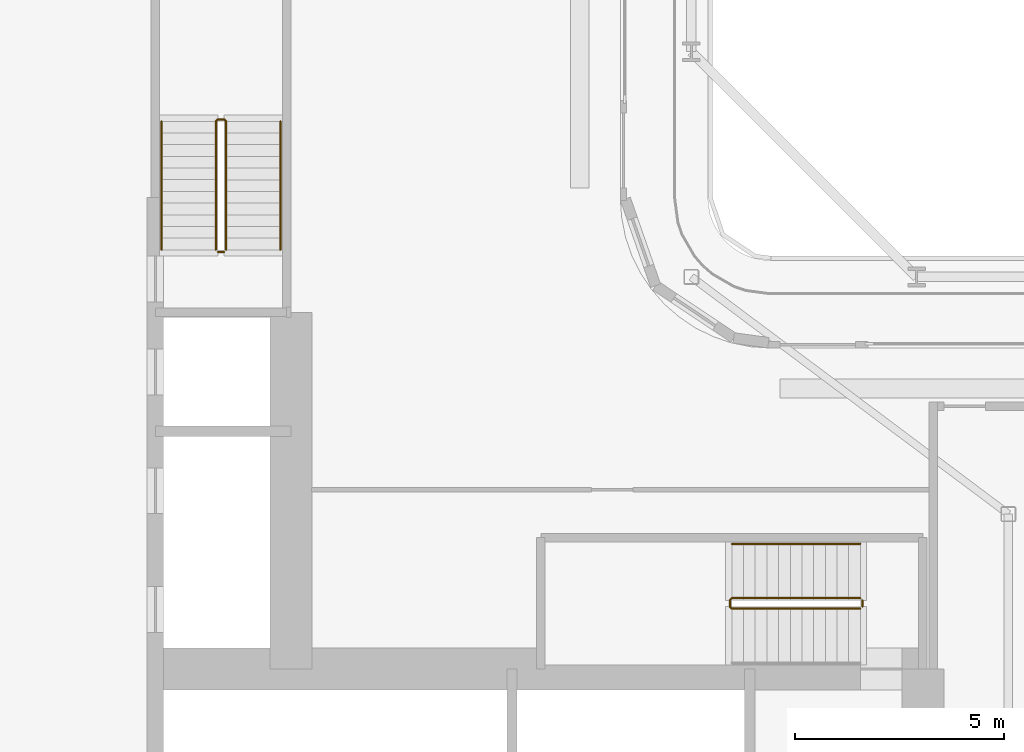
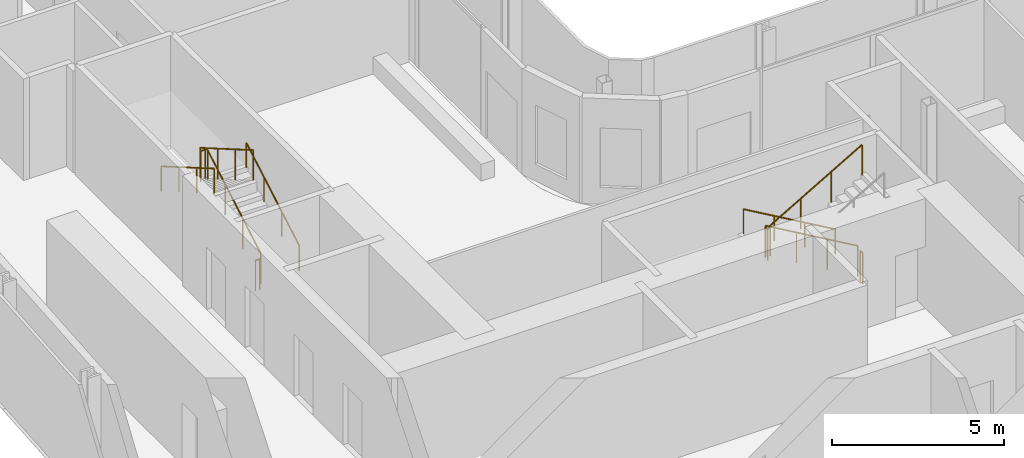
# One storey, part 24 of 29: 7 railings.
"""IFC4 building model written with IfcOpenShell, lengths in metres."""

from ifc_helpers import new_model, si_unit, direction, frame, origin, origin_2d, place, context, subcontext, project, spatial, circle, extrude, material, type_object, element, save


model = new_model("IFC4")

# Units and contexts
model_context = context("Model", 3, precision=1e-05, world=origin(), true_north=direction((0.0, 1.0)))
body_context = subcontext(model_context, "Body", "Model", "MODEL_VIEW")
ifc_project = project(units=[si_unit("LENGTHUNIT", "METRE"), si_unit("AREAUNIT", "SQUARE_METRE"), si_unit("VOLUMEUNIT", "CUBIC_METRE"), si_unit("PLANEANGLEUNIT", "RADIAN"), si_unit("MASSUNIT", "GRAM", prefix="KILO")], contexts=[model_context])

# Site, building, storey
site_placement = place(None, origin())
site = spatial("IfcSite", under=ifc_project, at=site_placement, CompositionType="ELEMENT")
building_placement = place(site_placement, origin())
building = spatial("IfcBuilding", under=site, at=building_placement, Name="Kheshtan School and Residences Tower", CompositionType="ELEMENT")
storey_placement = place(building_placement, frame((0.0, 0.0, 61.699951171875)))
storey = spatial("IfcBuildingStorey", under=building, at=storey_placement, Name="L14", CompositionType="ELEMENT", Elevation=61.699951171875)

# Railings
ifc_material_1 = material(Name="Stainless steel balustrade", Category="steel")
railing_type_1 = type_object("IfcRailingType", Name="Stair guard 1100", PredefinedType="GUARDRAIL", material=ifc_material_1)
railing_1_placement = place(storey_placement, frame((51.64990234375, 37.89990234375, 0.16259765625)))
element("IfcRailing", 1, at=railing_1_placement, inside=storey, type_object=railing_type_1, Name="L14 ST1 stair guard 1", PredefinedType="GUARDRAIL", context=body_context, shape_type="SweptSolid", body=[
    extrude(circle(Radius=0.02392578125, at=origin_2d()), frame((0.0, 0.0, 1.076171875), z_axis=(-0.864903211148, 0.0, 0.501938676878), x_axis=(0.0, -1.0, 0.0)), (0.0, 0.0, 1.0), 3.560791015625),
    extrude(circle(Radius=0.02392578125, at=origin_2d()), frame((-3.079833984375, 0.0, 2.86328125), z_axis=(-0.708833529934, -0.705375805398, 0.0), x_axis=(0.705375805398, -0.708833529934, 0.0)), (0.0, 0.0, 1.0), 0.070556640625),
    extrude(circle(Radius=0.02392578125, at=origin_2d()), frame((-3.1298828125, -0.0498046875, 2.86328125), z_axis=(0.0, -1.0, 0.0), x_axis=(1.0, 0.0, 0.0)), (0.0, 0.0, 1.0), 0.150146484375),
    extrude(circle(Radius=0.02392578125, at=origin_2d()), frame((-3.1298828125, -0.199951171875, 2.86328125), z_axis=(0.282227285176, -0.282227285176, 0.916894497205), x_axis=(0.707106781187, 0.707106781187, 0.0)), (0.0, 0.0, 1.0), 0.17724609375),
    extrude(circle(Radius=0.02392578125, at=origin_2d()), frame((-3.079833984375, -0.25, 3.02587890625), z_axis=(0.864873446163, 0.0, 0.501989962173), x_axis=(0.0, 1.0, 0.0)), (0.0, 0.0, 1.0), 3.56103515625),
    extrude(circle(Radius=0.02099609375, at=origin_2d()), origin(), (0.0, 0.0, 1.0), 1.052001953125),
    extrude(circle(Radius=0.02099609375, at=origin_2d()), frame((-1.026611328125, 0.0, 0.595703125)), (0.0, 0.0, 1.0), 1.052001953125),
    extrude(circle(Radius=0.02099609375, at=origin_2d()), frame((-2.05322265625, 0.0, 1.191650390625)), (0.0, 0.0, 1.0), 1.052001953125),
    extrude(circle(Radius=0.02099609375, at=origin_2d()), frame((-3.079833984375, 0.0, 1.787353515625)), (0.0, 0.0, 1.0), 1.052001953125),
    extrude(circle(Radius=0.02099609375, at=origin_2d()), frame((-3.1298828125, -0.0498046875, 1.787353515625)), (0.0, 0.0, 1.0), 1.052001953125),
    extrude(circle(Radius=0.02099609375, at=origin_2d()), frame((-3.1298828125, -0.199951171875, 1.787353515625)), (0.0, 0.0, 1.0), 1.052001953125),
    extrude(circle(Radius=0.02099609375, at=origin_2d()), frame((-3.079833984375, -0.25, 1.949951171875)), (0.0, 0.0, 1.0), 1.052001953125),
    extrude(circle(Radius=0.02099609375, at=origin_2d()), frame((-2.05322265625, -0.25, 2.5458984375)), (0.0, 0.0, 1.0), 1.052001953125),
    extrude(circle(Radius=0.02099609375, at=origin_2d()), frame((-1.026611328125, -0.25, 3.1416015625)), (0.0, 0.0, 1.0), 1.052001953125),
    extrude(circle(Radius=0.02099609375, at=origin_2d()), frame((0.0, -0.25, 3.737548828125)), (0.0, 0.0, 1.0), 1.052001953125),
])
railing_2_placement = place(storey_placement, frame((51.699951171875, 37.85009765625, 0.0)))
element("IfcRailing", 2, at=railing_2_placement, inside=storey, type_object=railing_type_1, Name="L14 ST1 stair guard 2", PredefinedType="GUARDRAIL", context=body_context, shape_type="SweptSolid", body=[
    extrude(circle(Radius=0.02392578125, at=origin_2d()), frame((0.0, 0.0, 1.076171875), z_axis=(0.0, -1.0, 0.0), x_axis=(1.0, 0.0, 0.0)), (0.0, 0.0, 1.0), 0.150146484375),
    extrude(circle(Radius=0.02099609375, at=origin_2d()), origin(), (0.0, 0.0, 1.0), 1.052001953125),
    extrude(circle(Radius=0.02099609375, at=origin_2d()), frame((0.0, -0.150146484375, 0.0)), (0.0, 0.0, 1.0), 1.052001953125),
])
railing_3_placement = place(storey_placement, frame((36.449951171875, 46.25, 0.16259765625)))
element("IfcRailing", 3, at=railing_3_placement, inside=storey, type_object=railing_type_1, Name="L14 ST2 stair guard 1", PredefinedType="GUARDRAIL", context=body_context, shape_type="SweptSolid", body=[
    extrude(circle(Radius=0.02392578125, at=origin_2d()), frame((0.0, 0.0, 1.076171875), z_axis=(0.0, 0.864920483161, 0.501908913857), x_axis=(-1.0, 0.0, 0.0)), (0.0, 0.0, 1.0), 3.56103515625),
    extrude(circle(Radius=0.02392578125, at=origin_2d()), frame((0.0, 3.080078125, 2.86328125), z_axis=(-0.708833529934, 0.705375805398, 0.0), x_axis=(-0.705375805398, -0.708833529934, 0.0)), (0.0, 0.0, 1.0), 0.070556640625),
    extrude(circle(Radius=0.02392578125, at=origin_2d()), frame((-0.050048828125, 3.1298828125, 2.86328125), z_axis=(-1.0, 0.0, 0.0), x_axis=(0.0, -1.0, 0.0)), (0.0, 0.0, 1.0), 0.14990234375),
    extrude(circle(Radius=0.02392578125, at=origin_2d()), frame((-0.199951171875, 3.1298828125, 2.86328125), z_axis=(-0.282336740067, -0.280959487676, 0.917250092119), x_axis=(0.705375805398, -0.708833529934, 0.0)), (0.0, 0.0, 1.0), 0.17724609375),
    extrude(circle(Radius=0.02392578125, at=origin_2d()), frame((-0.25, 3.080078125, 3.02587890625), z_axis=(0.0, -0.864890721111, 0.501960198159), x_axis=(1.0, 0.0, 0.0)), (0.0, 0.0, 1.0), 3.561279296875),
    extrude(circle(Radius=0.02099609375, at=origin_2d()), origin(), (0.0, 0.0, 1.0), 1.052001953125),
    extrude(circle(Radius=0.02099609375, at=origin_2d()), frame((0.0, 1.026611328125, 0.595703125)), (0.0, 0.0, 1.0), 1.052001953125),
    extrude(circle(Radius=0.02099609375, at=origin_2d()), frame((0.0, 2.053466796875, 1.191650390625)), (0.0, 0.0, 1.0), 1.052001953125),
    extrude(circle(Radius=0.02099609375, at=origin_2d()), frame((0.0, 3.080078125, 1.787353515625)), (0.0, 0.0, 1.0), 1.052001953125),
    extrude(circle(Radius=0.02099609375, at=origin_2d()), frame((-0.050048828125, 3.1298828125, 1.787353515625)), (0.0, 0.0, 1.0), 1.052001953125),
    extrude(circle(Radius=0.02099609375, at=origin_2d()), frame((-0.199951171875, 3.1298828125, 1.787353515625)), (0.0, 0.0, 1.0), 1.052001953125),
    extrude(circle(Radius=0.02099609375, at=origin_2d()), frame((-0.25, 3.080078125, 1.949951171875)), (0.0, 0.0, 1.0), 1.052001953125),
    extrude(circle(Radius=0.02099609375, at=origin_2d()), frame((-0.25, 2.053466796875, 2.5458984375)), (0.0, 0.0, 1.0), 1.052001953125),
    extrude(circle(Radius=0.02099609375, at=origin_2d()), frame((-0.25, 1.026611328125, 3.1416015625)), (0.0, 0.0, 1.0), 1.052001953125),
    extrude(circle(Radius=0.02099609375, at=origin_2d()), frame((-0.25, 0.0, 3.737548828125)), (0.0, 0.0, 1.0), 1.052001953125),
])
railing_4_placement = place(storey_placement, frame((36.39990234375, 46.199951171875, 0.0)))
element("IfcRailing", 4, at=railing_4_placement, inside=storey, type_object=railing_type_1, Name="L14 ST2 stair guard 2", PredefinedType="GUARDRAIL", context=body_context, shape_type="SweptSolid", body=[
    extrude(circle(Radius=0.02392578125, at=origin_2d()), frame((0.0, 0.0, 1.076171875), z_axis=(-1.0, 0.0, 0.0), x_axis=(0.0, -1.0, 0.0)), (0.0, 0.0, 1.0), 0.14990234375),
    extrude(circle(Radius=0.02099609375, at=origin_2d()), origin(), (0.0, 0.0, 1.0), 1.052001953125),
    extrude(circle(Radius=0.02099609375, at=origin_2d()), frame((-0.14990234375, 0.0, 0.0)), (0.0, 0.0, 1.0), 1.052001953125),
])
ifc_material_2 = material(Name="Stainless steel handrail", Category="steel")
railing_type_2 = type_object("IfcRailingType", Name="Stair handrail 900", PredefinedType="HANDRAIL", material=ifc_material_2)
railing_5_placement = place(storey_placement, frame((51.64990234375, 39.199951171875, 0.16259765625)))
element("IfcRailing", 5, at=railing_5_placement, inside=storey, type_object=railing_type_2, Name="L14 ST1 stair handrail 1", PredefinedType="HANDRAIL", context=body_context, shape_type="SweptSolid", body=[
    extrude(circle(Radius=0.02392578125, at=origin_2d()), frame((0.0, 0.0, 0.8759765625), z_axis=(-0.864903211148, 0.0, 0.501938676878), x_axis=(0.0, -1.0, 0.0)), (0.0, 0.0, 1.0), 3.560791015625),
    extrude(circle(Radius=0.02099609375, at=origin_2d()), origin(), (0.0, 0.0, 1.0), 0.851806640625),
    extrude(circle(Radius=0.02099609375, at=origin_2d()), frame((-1.026611328125, 0.0, 0.595703125)), (0.0, 0.0, 1.0), 0.851806640625),
    extrude(circle(Radius=0.02099609375, at=origin_2d()), frame((-2.05322265625, 0.0, 1.191650390625)), (0.0, 0.0, 1.0), 0.851806640625),
    extrude(circle(Radius=0.02099609375, at=origin_2d()), frame((-3.079833984375, 0.0, 1.787353515625)), (0.0, 0.0, 1.0), 0.851806640625),
])
railing_6_placement = place(storey_placement, frame((37.75, 46.25, 0.16259765625)))
element("IfcRailing", 6, at=railing_6_placement, inside=storey, type_object=railing_type_2, Name="L14 ST2 stair handrail 1", PredefinedType="HANDRAIL", context=body_context, shape_type="SweptSolid", body=[
    extrude(circle(Radius=0.02392578125, at=origin_2d()), frame((0.0, 0.0, 0.8759765625), z_axis=(0.0, 0.864920483161, 0.501908913857), x_axis=(-1.0, 0.0, 0.0)), (0.0, 0.0, 1.0), 3.56103515625),
    extrude(circle(Radius=0.02099609375, at=origin_2d()), origin(), (0.0, 0.0, 1.0), 0.851806640625),
    extrude(circle(Radius=0.02099609375, at=origin_2d()), frame((0.0, 1.026611328125, 0.595703125)), (0.0, 0.0, 1.0), 0.851806640625),
    extrude(circle(Radius=0.02099609375, at=origin_2d()), frame((0.0, 2.053466796875, 1.191650390625)), (0.0, 0.0, 1.0), 0.851806640625),
    extrude(circle(Radius=0.02099609375, at=origin_2d()), frame((0.0, 3.080078125, 1.787353515625)), (0.0, 0.0, 1.0), 0.851806640625),
])
railing_7_placement = place(storey_placement, frame((34.89990234375, 49.330078125, 2.112548828125)))
element("IfcRailing", 7, at=railing_7_placement, inside=storey, type_object=railing_type_2, Name="L14 ST2 stair handrail 2", PredefinedType="HANDRAIL", context=body_context, shape_type="SweptSolid", body=[
    extrude(circle(Radius=0.02392578125, at=origin_2d()), frame((0.0, 0.0, 0.8759765625), z_axis=(0.0, -0.864890721111, 0.501960198159), x_axis=(1.0, 0.0, 0.0)), (0.0, 0.0, 1.0), 3.561279296875),
    extrude(circle(Radius=0.02099609375, at=origin_2d()), origin(), (0.0, 0.0, 1.0), 0.851806640625),
    extrude(circle(Radius=0.02099609375, at=origin_2d()), frame((0.0, -1.026611328125, 0.595947265625)), (0.0, 0.0, 1.0), 0.851806640625),
    extrude(circle(Radius=0.02099609375, at=origin_2d()), frame((0.0, -2.053466796875, 1.191650390625)), (0.0, 0.0, 1.0), 0.851806640625),
    extrude(circle(Radius=0.02099609375, at=origin_2d()), frame((0.0, -3.080078125, 1.78759765625)), (0.0, 0.0, 1.0), 0.851806640625),
])

save(model, "model.ifc")
